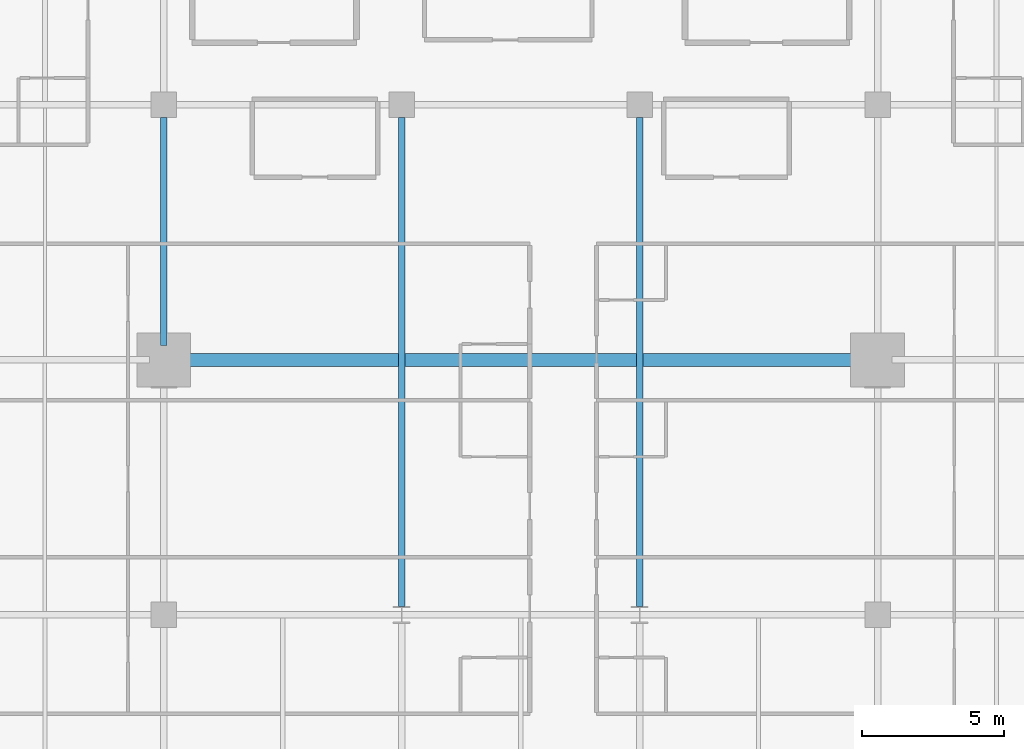
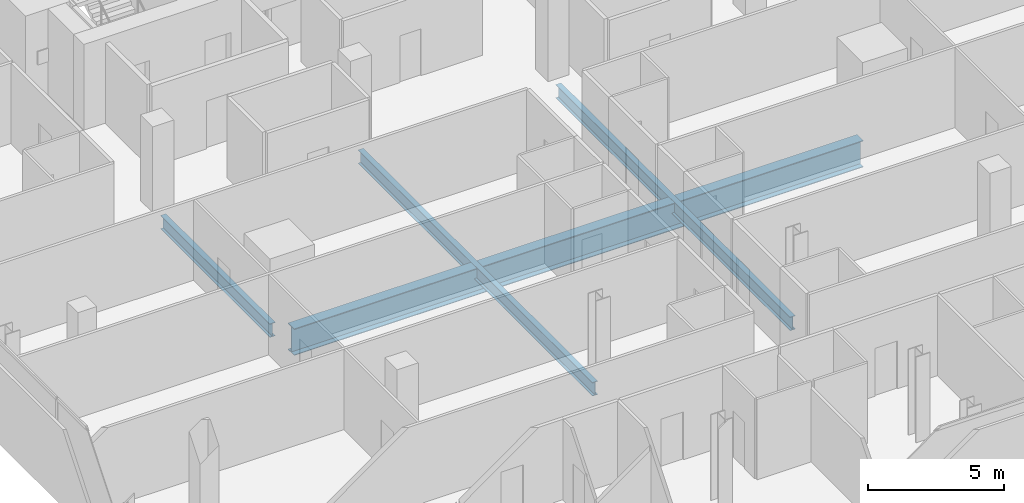
# One storey, part 11 of 33: 4 beams.
"""IFC4 building model written with IfcOpenShell, lengths in metres."""

from ifc_helpers import new_model, si_unit, direction, frame, origin, origin_2d, place, context, subcontext, project, spatial, i_section, extrude, material, material_profile, profile_set, type_object, element, save


model = new_model("IFC4")

# Units and contexts
model_context = context("Model", 3, precision=1e-05, world=origin(), true_north=direction((0.0, 1.0)))
body_context = subcontext(model_context, "Body", "Model", "MODEL_VIEW")
ifc_project = project(units=[si_unit("LENGTHUNIT", "METRE"), si_unit("AREAUNIT", "SQUARE_METRE"), si_unit("VOLUMEUNIT", "CUBIC_METRE"), si_unit("PLANEANGLEUNIT", "RADIAN"), si_unit("MASSUNIT", "GRAM", prefix="KILO")], contexts=[model_context])

# Site, building, storey
site_placement = place(None, origin())
site = spatial("IfcSite", under=ifc_project, at=site_placement, CompositionType="ELEMENT")
building_placement = place(site_placement, origin())
building = spatial("IfcBuilding", under=site, at=building_placement, Name="Maruvema Waterfront Hotel and Observation Tower", CompositionType="ELEMENT")
storey_placement = place(building_placement, frame((0.0, 0.0, 150.5)))
storey = spatial("IfcBuildingStorey", under=building, at=storey_placement, Name="L36", CompositionType="ELEMENT", Elevation=150.5)

# Beams
ifc_material_1 = material(Name="Steel ASTM A572 Grade 50", Category="steel")
ifc_material_profile_1 = material_profile(ifc_material_1, i_section(OverallWidth=0.22900390625, OverallDepth=0.612060546875, WebThickness=0.011962890625, FlangeThickness=0.01953125, FilletRadius=0.01806640625, at=origin_2d()), Name="W610x125.0")
ifc_profile_set_1 = profile_set([ifc_material_profile_1], Name="Steel ASTM A572 Grade 50")
beam_type_1 = type_object("IfcBeamType", Name="Primary Floor Girder W610x125.0", PredefinedType="BEAM", material=ifc_profile_set_1)
beam_1_placement = place(storey_placement, frame((25.199951171875, 27.5, -0.5458984375), z_axis=(0.0, 1.0, 0.0), x_axis=(-1.0, 0.0, 0.0)))
element("IfcBeam", 1, at=beam_1_placement, inside=storey, type_object=beam_type_1, Name="L36 Floor Girder NS-12", PredefinedType="BEAM", context=body_context, shape_type="SweptSolid", body=[
    extrude(i_section(OverallWidth=0.22900390625, OverallDepth=0.612060546875, WebThickness=0.011962890625, FlangeThickness=0.01953125, FilletRadius=0.01806640625, at=origin_2d()), origin(), (0.0, 0.0, 1.0), 8.050048828125),
])
for number, where, z_axis, x_axis, name in (
    (2, (33.60009765625, 18.300048828125, -0.5458984375), (0.0, 1.0, 0.0), (-1.0, 0.0, 0.0), "L36 Floor Girder NS-16"),
    (3, (42.0, 18.300048828125, -0.5458984375), (0.0, 1.0, 0.0), (-1.0, 0.0, 0.0), "L36 Floor Girder NS-19"),
):
    element("IfcBeam", number, at=place(storey_placement, frame(where, z_axis=z_axis, x_axis=x_axis)), inside=storey, type_object=beam_type_1, Name=name, PredefinedType="BEAM", context=body_context, shape_type="SweptSolid", body=[
        extrude(i_section(OverallWidth=0.22900390625, OverallDepth=0.612060546875, WebThickness=0.011962890625, FlangeThickness=0.01953125, FilletRadius=0.01806640625, at=origin_2d()), origin(), (0.0, 0.0, 1.0), 17.25),
    ])
ifc_material_2 = material(Name="Steel ABNT NBR 7007 AR 415 (ASTM A572 Grade 50)", Category="steel")
ifc_material_profile_2 = material_profile(ifc_material_2, i_section(OverallWidth=0.449951171875, OverallDepth=1.199951171875, WebThickness=0.01904296875, FlangeThickness=0.031982421875, at=origin_2d()), Name="VS1200x366")
ifc_profile_set_2 = profile_set([ifc_material_profile_2], Name="Steel ABNT NBR 7007 AR 415 (ASTM A572 Grade 50)")
beam_type_2 = type_object("IfcBeamType", Name="Upper Setback Transfer Girder VS1200x366", PredefinedType="USERDEFINED", material=ifc_profile_set_2)
beam_2_placement = place(storey_placement, frame((25.699951171875, 27.0, -0.840087890625), z_axis=(1.0, 0.0, 0.0), x_axis=(0.0, 1.0, 0.0)))
element("IfcBeam", 4, at=beam_2_placement, inside=storey, type_object=beam_type_2, Name="L36 Floor Girder EW-20", ObjectType="TRANSFER GIRDER", PredefinedType="USERDEFINED", context=body_context, shape_type="SweptSolid", body=[
    extrude(i_section(OverallWidth=0.449951171875, OverallDepth=1.199951171875, WebThickness=0.01904296875, FlangeThickness=0.031982421875, at=origin_2d()), origin(), (0.0, 0.0, 1.0), 24.199951171875),
])

save(model, "model.ifc")
